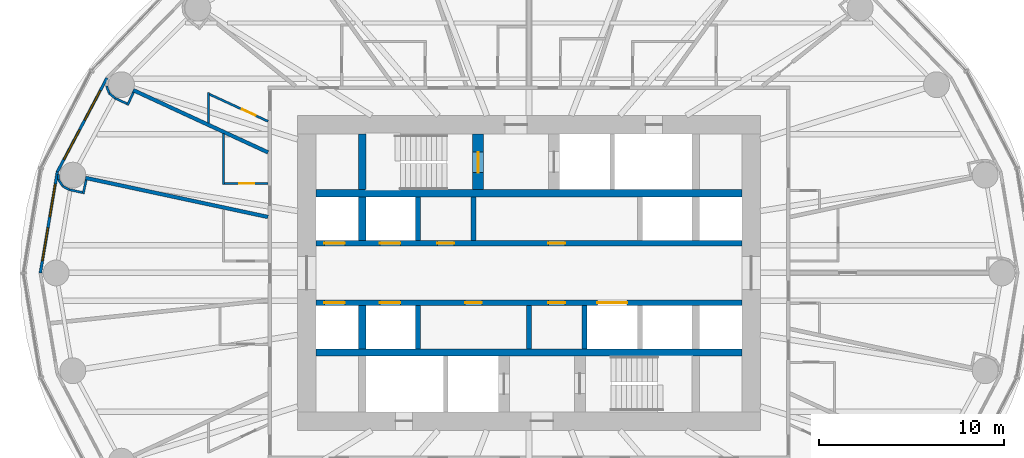
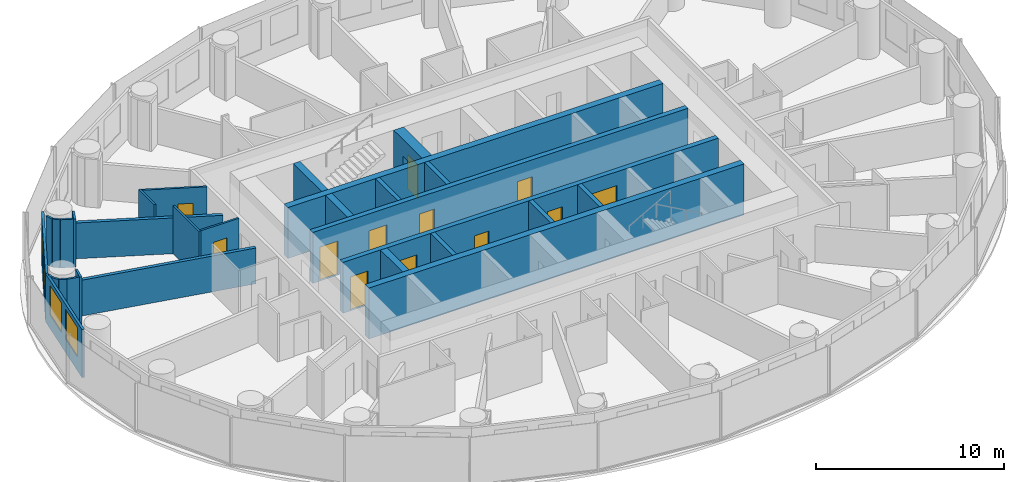
# One storey, part 8 of 14: 30 walls, 12 doors, 4 windows, 16 openings.
"""IFC4 building model written with IfcOpenShell, lengths in metres."""

from ifc_helpers import new_model, si_unit, direction, frame, frame_2d, origin, place, context, subcontext, project, spatial, rectangle, extrude, material, layer, layer_set, type_object, element, fill, save


model = new_model("IFC4")

# Units and contexts
model_context = context("Model", 3, precision=1e-05, world=origin(), true_north=direction((0.0, 1.0)))
body_context = subcontext(model_context, "Body", "Model", "MODEL_VIEW")
ifc_project = project(units=[si_unit("LENGTHUNIT", "METRE"), si_unit("AREAUNIT", "SQUARE_METRE"), si_unit("VOLUMEUNIT", "CUBIC_METRE"), si_unit("PLANEANGLEUNIT", "RADIAN"), si_unit("MASSUNIT", "GRAM", prefix="KILO")], contexts=[model_context])

# Site, building, storey
site_placement = place(None, origin())
site = spatial("IfcSite", under=ifc_project, at=site_placement, CompositionType="ELEMENT")
building_placement = place(site_placement, origin())
building = spatial("IfcBuilding", under=site, at=building_placement, Name="Hankou Lantern Tower", CompositionType="ELEMENT")
storey_placement = place(building_placement, frame((0.0, 0.0, 63.89990234375)))
storey = spatial("IfcBuildingStorey", under=building, at=storey_placement, Name="L15", CompositionType="ELEMENT", Elevation=63.89990234375)

# Walls
ifc_material_1 = material(Name="Concrete C60", Category="concrete")
ifc_layer_1 = layer(ifc_material_1, 0.39990234375)
ifc_layer_set_1 = layer_set([ifc_layer_1], Name="Concrete C60")
wall_type_1 = type_object("IfcWallType", Name="CW4 CORE CROSS WALL 400", PredefinedType="SHEAR", material=ifc_layer_set_1)
for number, where, z_axis, x_axis, name in (
    (1, (-11.5, 4.300048828125, 0.0), (0.0, 0.0, 1.0), (1.0, 0.0, 0.0), "Core band wall north L15"),
    (2, (-11.5, -4.300048828125, 0.0), (0.0, 0.0, 1.0), (1.0, 0.0, 0.0), "Core band wall south L15"),
):
    element("IfcWall", number, at=place(storey_placement, frame(where, z_axis=z_axis, x_axis=x_axis)), inside=storey, type_object=wall_type_1, Name=name, PredefinedType="SHEAR", context=body_context, shape_type="SweptSolid", body=[
        extrude(rectangle(XDim=23.0, YDim=0.39990234375, at=frame_2d((11.5, 0.0))), origin(), (0.0, 0.0, 1.0), 3.300048828125),
    ])
wall_1_placement = place(storey_placement, frame((-9.0, 4.5, 0.0), z_axis=(0.0, 0.0, 1.0), x_axis=(0.0, 1.0, 0.0)))
element("IfcWall", 3, at=wall_1_placement, inside=storey, type_object=wall_type_1, Name="Core strip wall L15", PredefinedType="SHEAR", context=body_context, shape_type="SweptSolid", body=[
    extrude(rectangle(XDim=3.0, YDim=0.39990234375, at=frame_2d((1.5, 0.0))), origin(), (0.0, 0.0, 1.0), 3.300048828125),
])
for number, where, z_axis, x_axis, name in (
    (4, (-9.0, 1.75, 0.0), (0.0, 0.0, 1.0), (0.0, 1.0, 0.0), "Core strip wall L15"),
    (5, (-9.0, -4.10009765625, 0.0), (0.0, 0.0, 1.0), (0.0, 1.0, 0.0), "Core strip wall L15"),
):
    element("IfcWall", number, at=place(storey_placement, frame(where, z_axis=z_axis, x_axis=x_axis)), inside=storey, type_object=wall_type_1, Name=name, PredefinedType="SHEAR", context=body_context, shape_type="SweptSolid", body=[
        extrude(rectangle(XDim=2.35009765625, YDim=0.39990234375, at=frame_2d((1.175048828125, 0.0))), origin(), (0.0, 0.0, 1.0), 3.300048828125),
    ])

# Wall, openings, doors
ifc_material_2 = material(Name="Concrete C60", Category="concrete")
ifc_layer_2 = layer(ifc_material_2, 0.300048828125)
ifc_layer_set_2 = layer_set([ifc_layer_2], Name="Concrete C60")
wall_type_2 = type_object("IfcWallType", Name="CW5 LIFT LOBBY WALL 300", PredefinedType="SHEAR", material=ifc_layer_set_2)
wall_2_placement = place(storey_placement, frame((-11.5, 1.60009765625, 0.0), z_axis=(0.0, 0.0, 1.0), x_axis=(1.0, 0.0, 0.0)))
wall_2 = element("IfcWall", 6, at=wall_2_placement, inside=storey, type_object=wall_type_2, Name="Lift lobby wall north L15", PredefinedType="SHEAR", context=body_context, shape_type="SweptSolid", body=[
    extrude(rectangle(XDim=23.0, YDim=0.300048828125, at=frame_2d((11.5, 0.0))), origin(), (0.0, 0.0, 1.0), 3.300048828125),
])
opening_1_placement = place(wall_2_placement, frame((0.449951171875, 0.0, 0.0)))
opening_1 = element("IfcOpeningElement", 7, at=opening_1_placement, cuts=wall_2, Name="Opening LD1", PredefinedType="OPENING", context=body_context, shape_type="SweptSolid", body=[
    extrude(rectangle(XDim=1.10009765625, YDim=2.199951171875, at=frame_2d((0.550048828125, 1.10009765625))), frame((0.0, 0.159912109375, 0.0), z_axis=(0.0, -1.0, 0.0), x_axis=(1.0, 0.0, 0.0)), (0.0, 0.0, 1.0), 0.320068359375),
])
opening_2_placement = place(wall_2_placement, frame((3.449951171875, 0.0, 0.0)))
opening_2 = element("IfcOpeningElement", 8, at=opening_2_placement, cuts=wall_2, Name="Opening LD1", PredefinedType="OPENING", context=body_context, shape_type="SweptSolid", body=[
    extrude(rectangle(XDim=1.10009765625, YDim=2.199951171875, at=frame_2d((0.550048828125, 1.10009765625))), frame((0.0, 0.159912109375, 0.0), z_axis=(0.0, -1.0, 0.0), x_axis=(1.0, 0.0, 0.0)), (0.0, 0.0, 1.0), 0.320068359375),
])
opening_3_placement = place(wall_2_placement, frame((6.550048828125, 0.0, 0.0)))
opening_3 = element("IfcOpeningElement", 9, at=opening_3_placement, cuts=wall_2, Name="Opening D30", PredefinedType="OPENING", context=body_context, shape_type="SweptSolid", body=[
    extrude(rectangle(XDim=0.89990234375, YDim=2.199951171875, at=frame_2d((0.449951171875, 1.10009765625))), frame((0.0, 0.159912109375, 0.0), z_axis=(0.0, -1.0, 0.0), x_axis=(1.0, 0.0, 0.0)), (0.0, 0.0, 1.0), 0.320068359375),
])
opening_4_placement = place(wall_2_placement, frame((12.550048828125, 0.0, 0.0)))
opening_4 = element("IfcOpeningElement", 10, at=opening_4_placement, cuts=wall_2, Name="Opening D30", PredefinedType="OPENING", context=body_context, shape_type="SweptSolid", body=[
    extrude(rectangle(XDim=0.89990234375, YDim=2.199951171875, at=frame_2d((0.449951171875, 1.10009765625))), frame((0.0, 0.159912109375, 0.0), z_axis=(0.0, -1.0, 0.0), x_axis=(1.0, 0.0, 0.0)), (0.0, 0.0, 1.0), 0.320068359375),
])
ifc_material_3 = material(Name="Steel door leaf", Category="steel")
door_type_1 = type_object("IfcDoorType", Name="D30 CORE ROOM DOOR 900X2200", OperationType="SINGLE_SWING_LEFT", PredefinedType="DOOR", material=ifc_material_3)
door_1_placement = place(opening_3_placement, origin())
door_1 = element("IfcDoor", 11, at=door_1_placement, inside=storey, type_object=door_type_1, Name="Room service pantry door", OperationType="SINGLE_SWING_LEFT", OverallHeight=2.199951171875, OverallWidth=0.89990234375, PredefinedType="DOOR", context=body_context, shape_type="SweptSolid", body=[
    extrude(rectangle(XDim=0.89990234375, YDim=2.199951171875, at=frame_2d((0.449951171875, 1.10009765625))), frame((0.0, 0.02490234375, 0.0), z_axis=(0.0, -1.0, 0.0), x_axis=(1.0, 0.0, 0.0)), (0.0, 0.0, 1.0), 0.050048828125),
])
fill(opening_3, door_1)
door_2_placement = place(opening_4_placement, origin())
door_2 = element("IfcDoor", 12, at=door_2_placement, inside=storey, type_object=door_type_1, Name="Housekeeping and linen store door", OperationType="SINGLE_SWING_RIGHT", OverallHeight=2.199951171875, OverallWidth=0.89990234375, PredefinedType="DOOR", context=body_context, shape_type="SweptSolid", body=[
    extrude(rectangle(XDim=0.89990234375, YDim=2.199951171875, at=frame_2d((0.449951171875, 1.10009765625))), frame((0.0, 0.02490234375, 0.0), z_axis=(0.0, -1.0, 0.0), x_axis=(1.0, 0.0, 0.0)), (0.0, 0.0, 1.0), 0.050048828125),
])
fill(opening_4, door_2)
ifc_material_4 = material(Name="Steel door leaf", Category="steel")
door_type_2 = type_object("IfcDoorType", Name="LD1 LIFT LANDING DOOR 1100X2200", OperationType="DOUBLE_DOOR_SLIDING", PredefinedType="DOOR", material=ifc_material_4)
door_3_placement = place(opening_1_placement, origin())
door_3 = element("IfcDoor", 13, at=door_3_placement, inside=storey, type_object=door_type_2, Name="Lift L1 landing door", OperationType="DOUBLE_DOOR_SLIDING", OverallHeight=2.199951171875, OverallWidth=1.10009765625, PredefinedType="DOOR", context=body_context, shape_type="SweptSolid", body=[
    extrude(rectangle(XDim=1.10009765625, YDim=2.199951171875, at=frame_2d((0.550048828125, 1.10009765625))), frame((0.0, 0.02490234375, 0.0), z_axis=(0.0, -1.0, 0.0), x_axis=(1.0, 0.0, 0.0)), (0.0, 0.0, 1.0), 0.050048828125),
])
fill(opening_1, door_3)
door_4_placement = place(opening_2_placement, origin())
door_4 = element("IfcDoor", 14, at=door_4_placement, inside=storey, type_object=door_type_2, Name="Lift L2 landing door", OperationType="DOUBLE_DOOR_SLIDING", OverallHeight=2.199951171875, OverallWidth=1.10009765625, PredefinedType="DOOR", context=body_context, shape_type="SweptSolid", body=[
    extrude(rectangle(XDim=1.10009765625, YDim=2.199951171875, at=frame_2d((0.550048828125, 1.10009765625))), frame((0.0, 0.02490234375, 0.0), z_axis=(0.0, -1.0, 0.0), x_axis=(1.0, 0.0, 0.0)), (0.0, 0.0, 1.0), 0.050048828125),
])
fill(opening_2, door_4)

wall_3_placement = place(storey_placement, frame((-11.5, -1.60009765625, 0.0), z_axis=(0.0, 0.0, 1.0), x_axis=(1.0, 0.0, 0.0)))
wall_3 = element("IfcWall", 15, at=wall_3_placement, inside=storey, type_object=wall_type_2, Name="Lift lobby wall south L15", PredefinedType="SHEAR", context=body_context, shape_type="SweptSolid", body=[
    extrude(rectangle(XDim=23.0, YDim=0.300048828125, at=frame_2d((11.5, 0.0))), origin(), (0.0, 0.0, 1.0), 3.300048828125),
])
opening_5_placement = place(wall_3_placement, frame((0.449951171875, 0.0, 0.0)))
opening_5 = element("IfcOpeningElement", 16, at=opening_5_placement, cuts=wall_3, Name="Opening LD1", PredefinedType="OPENING", context=body_context, shape_type="SweptSolid", body=[
    extrude(rectangle(XDim=1.10009765625, YDim=2.199951171875, at=frame_2d((0.550048828125, 1.10009765625))), frame((0.0, 0.159912109375, 0.0), z_axis=(0.0, -1.0, 0.0), x_axis=(1.0, 0.0, 0.0)), (0.0, 0.0, 1.0), 0.320068359375),
])
opening_6_placement = place(wall_3_placement, frame((3.449951171875, 0.0, 0.0)))
opening_6 = element("IfcOpeningElement", 17, at=opening_6_placement, cuts=wall_3, Name="Opening LD1", PredefinedType="OPENING", context=body_context, shape_type="SweptSolid", body=[
    extrude(rectangle(XDim=1.10009765625, YDim=2.199951171875, at=frame_2d((0.550048828125, 1.10009765625))), frame((0.0, 0.159912109375, 0.0), z_axis=(0.0, -1.0, 0.0), x_axis=(1.0, 0.0, 0.0)), (0.0, 0.0, 1.0), 0.320068359375),
])
opening_7_placement = place(wall_3_placement, frame((15.199951171875, 0.0, 0.0)))
opening_7 = element("IfcOpeningElement", 18, at=opening_7_placement, cuts=wall_3, Name="Opening LD4", PredefinedType="OPENING", context=body_context, shape_type="SweptSolid", body=[
    extrude(rectangle(XDim=1.60009765625, YDim=2.39990234375, at=frame_2d((0.800048828125, 1.199951171875))), frame((0.0, 0.159912109375, 0.0), z_axis=(0.0, -1.0, 0.0), x_axis=(1.0, 0.0, 0.0)), (0.0, 0.0, 1.0), 0.320068359375),
])
opening_8_placement = place(wall_3_placement, frame((8.050048828125, 0.0, 0.0)))
opening_8 = element("IfcOpeningElement", 19, at=opening_8_placement, cuts=wall_3, Name="Opening D30", PredefinedType="OPENING", context=body_context, shape_type="SweptSolid", body=[
    extrude(rectangle(XDim=0.89990234375, YDim=2.199951171875, at=frame_2d((0.449951171875, 1.10009765625))), frame((0.0, 0.159912109375, 0.0), z_axis=(0.0, -1.0, 0.0), x_axis=(1.0, 0.0, 0.0)), (0.0, 0.0, 1.0), 0.320068359375),
])
opening_9_placement = place(wall_3_placement, frame((12.550048828125, 0.0, 0.0)))
opening_9 = element("IfcOpeningElement", 20, at=opening_9_placement, cuts=wall_3, Name="Opening D30", PredefinedType="OPENING", context=body_context, shape_type="SweptSolid", body=[
    extrude(rectangle(XDim=0.89990234375, YDim=2.199951171875, at=frame_2d((0.449951171875, 1.10009765625))), frame((0.0, 0.159912109375, 0.0), z_axis=(0.0, -1.0, 0.0), x_axis=(1.0, 0.0, 0.0)), (0.0, 0.0, 1.0), 0.320068359375),
])
door_5_placement = place(opening_8_placement, origin())
door_5 = element("IfcDoor", 21, at=door_5_placement, inside=storey, type_object=door_type_1, Name="Staff locker room door", OperationType="SINGLE_SWING_LEFT", OverallHeight=2.199951171875, OverallWidth=0.89990234375, PredefinedType="DOOR", context=body_context, shape_type="SweptSolid", body=[
    extrude(rectangle(XDim=0.89990234375, YDim=2.199951171875, at=frame_2d((0.449951171875, 1.10009765625))), frame((0.0, 0.02490234375, 0.0), z_axis=(0.0, -1.0, 0.0), x_axis=(1.0, 0.0, 0.0)), (0.0, 0.0, 1.0), 0.050048828125),
])
fill(opening_8, door_5)
door_6_placement = place(opening_9_placement, origin())
door_6 = element("IfcDoor", 22, at=door_6_placement, inside=storey, type_object=door_type_1, Name="Guest pantry and ice room door", OperationType="SINGLE_SWING_RIGHT", OverallHeight=2.199951171875, OverallWidth=0.89990234375, PredefinedType="DOOR", context=body_context, shape_type="SweptSolid", body=[
    extrude(rectangle(XDim=0.89990234375, YDim=2.199951171875, at=frame_2d((0.449951171875, 1.10009765625))), frame((0.0, 0.02490234375, 0.0), z_axis=(0.0, -1.0, 0.0), x_axis=(1.0, 0.0, 0.0)), (0.0, 0.0, 1.0), 0.050048828125),
])
fill(opening_9, door_6)
door_7_placement = place(opening_5_placement, origin())
door_7 = element("IfcDoor", 23, at=door_7_placement, inside=storey, type_object=door_type_2, Name="Lift L3 landing door", OperationType="DOUBLE_DOOR_SLIDING", OverallHeight=2.199951171875, OverallWidth=1.10009765625, PredefinedType="DOOR", context=body_context, shape_type="SweptSolid", body=[
    extrude(rectangle(XDim=1.10009765625, YDim=2.199951171875, at=frame_2d((0.550048828125, 1.10009765625))), frame((0.0, 0.02490234375, 0.0), z_axis=(0.0, -1.0, 0.0), x_axis=(1.0, 0.0, 0.0)), (0.0, 0.0, 1.0), 0.050048828125),
])
fill(opening_5, door_7)
door_8_placement = place(opening_6_placement, origin())
door_8 = element("IfcDoor", 24, at=door_8_placement, inside=storey, type_object=door_type_2, Name="Lift L4 landing door", OperationType="DOUBLE_DOOR_SLIDING", OverallHeight=2.199951171875, OverallWidth=1.10009765625, PredefinedType="DOOR", context=body_context, shape_type="SweptSolid", body=[
    extrude(rectangle(XDim=1.10009765625, YDim=2.199951171875, at=frame_2d((0.550048828125, 1.10009765625))), frame((0.0, 0.02490234375, 0.0), z_axis=(0.0, -1.0, 0.0), x_axis=(1.0, 0.0, 0.0)), (0.0, 0.0, 1.0), 0.050048828125),
])
fill(opening_6, door_8)
ifc_material_5 = material(Name="Steel door leaf", Category="steel")
door_type_3 = type_object("IfcDoorType", Name="LD4 SERVICE LIFT LANDING DOOR 1600X2400", OperationType="DOUBLE_DOOR_SLIDING", PredefinedType="DOOR", material=ifc_material_5)
door_9_placement = place(opening_7_placement, origin())
door_9 = element("IfcDoor", 25, at=door_9_placement, inside=storey, type_object=door_type_3, Name="Lift SV1 landing door", OperationType="DOUBLE_DOOR_SLIDING", OverallHeight=2.39990234375, OverallWidth=1.60009765625, PredefinedType="DOOR", context=body_context, shape_type="SweptSolid", body=[
    extrude(rectangle(XDim=1.60009765625, YDim=2.39990234375, at=frame_2d((0.800048828125, 1.199951171875))), frame((0.0, 0.02490234375, 0.0), z_axis=(0.0, -1.0, 0.0), x_axis=(1.0, 0.0, 0.0)), (0.0, 0.0, 1.0), 0.050048828125),
])
fill(opening_7, door_9)

# Wall, opening, door
ifc_material_6 = material(Name="Concrete C60", Category="concrete")
ifc_layer_3 = layer(ifc_material_6, 0.60009765625)
ifc_layer_set_3 = layer_set([ifc_layer_3], Name="Concrete C60")
wall_type_3 = type_object("IfcWallType", Name="CW6 STAIR AND SHAFT WALL 600", PredefinedType="SHEAR", material=ifc_layer_set_3)
wall_4_placement = place(storey_placement, frame((-2.75, 4.5, 0.0), z_axis=(0.0, 0.0, 1.0), x_axis=(0.0, 1.0, 0.0)))
wall_4 = element("IfcWall", 26, at=wall_4_placement, inside=storey, type_object=wall_type_3, Name="Stair wall L15", PredefinedType="SHEAR", context=body_context, shape_type="SweptSolid", body=[
    extrude(rectangle(XDim=3.0, YDim=0.60009765625, at=frame_2d((1.5, 0.0))), origin(), (0.0, 0.0, 1.0), 3.300048828125),
])
opening_10_placement = place(wall_4_placement, frame((0.925048828125, 0.0, 0.0)))
opening_10 = element("IfcOpeningElement", 27, at=opening_10_placement, cuts=wall_4, Name="Opening D4", PredefinedType="OPENING", context=body_context, shape_type="SweptSolid", body=[
    extrude(rectangle(XDim=1.10009765625, YDim=2.199951171875, at=frame_2d((0.550048828125, 1.10009765625))), frame((0.0, 0.31005859375, 0.0), z_axis=(0.0, -1.0, 0.0), x_axis=(1.0, 0.0, 0.0)), (0.0, 0.0, 1.0), 0.6201171875),
])
ifc_material_7 = material(Name="Steel door leaf", Category="steel")
door_type_4 = type_object("IfcDoorType", Name="D4 STAIR DOOR 1100X2200", OperationType="SINGLE_SWING_LEFT", PredefinedType="DOOR", material=ifc_material_7)
door_10_placement = place(opening_10_placement, origin())
door_10 = element("IfcDoor", 28, at=door_10_placement, inside=storey, type_object=door_type_4, Name="Stair A door", OperationType="SINGLE_SWING_LEFT", OverallHeight=2.199951171875, OverallWidth=1.10009765625, PredefinedType="DOOR", context=body_context, shape_type="SweptSolid", body=[
    extrude(rectangle(XDim=1.10009765625, YDim=2.199951171875, at=frame_2d((0.550048828125, 1.10009765625))), frame((0.0, 0.02490234375, 0.0), z_axis=(0.0, -1.0, 0.0), x_axis=(1.0, 0.0, 0.0)), (0.0, 0.0, 1.0), 0.050048828125),
])
fill(opening_10, door_10)

# Wall, openings, windows
ifc_material_8 = material(Name="Aluminium spandrel panel on steel studs", Category="steel")
ifc_layer_4 = layer(ifc_material_8, 0.14990234375)
ifc_layer_set_4 = layer_set([ifc_layer_4], Name="Aluminium spandrel panel on steel studs")
wall_type_4 = type_object("IfcWallType", Name="EW1 INNER SKIN WALL 150", PredefinedType="ELEMENTEDWALL", material=ifc_layer_set_4)
wall_5_placement = place(storey_placement, frame((-22.802734375, 10.5322265625, 0.0), z_axis=(0.0, 0.0, 1.0), x_axis=(-0.467296867008, -0.884100468321, 0.0)))
wall_5 = element("IfcWall", 29, at=wall_5_placement, inside=storey, type_object=wall_type_4, Name="Inner skin R11-R12 L15", PredefinedType="ELEMENTEDWALL", context=body_context, shape_type="SweptSolid", body=[
    extrude(rectangle(XDim=5.734375, YDim=0.14990234375, at=frame_2d((2.8671875, 0.0))), origin(), (0.0, 0.0, 1.0), 3.1201171875),
])
opening_11_placement = place(wall_5_placement, frame((0.76708984375, 0.0, 0.89990234375)))
opening_11 = element("IfcOpeningElement", 30, at=opening_11_placement, cuts=wall_5, Name="Opening W1", PredefinedType="OPENING", context=body_context, shape_type="SweptSolid", body=[
    extrude(rectangle(XDim=1.800048828125, YDim=1.89990234375, at=frame_2d((0.89990234375, 0.949951171875))), frame((0.0, 0.0849609375, 0.0), z_axis=(0.0, -1.0, 0.0), x_axis=(1.0, 0.0, 0.0)), (0.0, 0.0, 1.0), 0.169921875),
])
opening_12_placement = place(wall_5_placement, frame((3.167236328125, 0.0, 0.89990234375)))
opening_12 = element("IfcOpeningElement", 31, at=opening_12_placement, cuts=wall_5, Name="Opening W1", PredefinedType="OPENING", context=body_context, shape_type="SweptSolid", body=[
    extrude(rectangle(XDim=1.800048828125, YDim=1.89990234375, at=frame_2d((0.89990234375, 0.949951171875))), frame((0.0, 0.0849609375, 0.0), z_axis=(0.0, -1.0, 0.0), x_axis=(1.0, 0.0, 0.0)), (0.0, 0.0, 1.0), 0.169921875),
])
ifc_material_9 = material(Name="Aluminium framed double glazed window", Category="aluminium")
window_type = type_object("IfcWindowType", Name="W1 GUEST ROOM WINDOW 1800X1900", PartitioningType="DOUBLE_PANEL_VERTICAL", PredefinedType="WINDOW", material=ifc_material_9)
window_1_placement = place(opening_11_placement, origin())
window_1 = element("IfcWindow", 32, at=window_1_placement, inside=storey, type_object=window_type, Name="Window R11.1 L15", OverallHeight=1.89990234375, OverallWidth=1.800048828125, PartitioningType="SINGLE_PANEL", PredefinedType="WINDOW", context=body_context, shape_type="SweptSolid", body=[
    extrude(rectangle(XDim=1.800048828125, YDim=1.89990234375, at=frame_2d((0.89990234375, 0.949951171875))), frame((0.0, 0.030029296875, 0.0), z_axis=(0.0, -1.0, 0.0), x_axis=(1.0, 0.0, 0.0)), (0.0, 0.0, 1.0), 0.06005859375),
])
fill(opening_11, window_1)
window_2_placement = place(opening_12_placement, origin())
window_2 = element("IfcWindow", 33, at=window_2_placement, inside=storey, type_object=window_type, Name="Window R11.2 L15", OverallHeight=1.89990234375, OverallWidth=1.800048828125, PartitioningType="SINGLE_PANEL", PredefinedType="WINDOW", context=body_context, shape_type="SweptSolid", body=[
    extrude(rectangle(XDim=1.800048828125, YDim=1.89990234375, at=frame_2d((0.89990234375, 0.949951171875))), frame((0.0, 0.030029296875, 0.0), z_axis=(0.0, -1.0, 0.0), x_axis=(1.0, 0.0, 0.0)), (0.0, 0.0, 1.0), 0.06005859375),
])
fill(opening_12, window_2)

wall_6_placement = place(storey_placement, frame((-25.482421875, 5.46240234375, 0.0), z_axis=(0.0, 0.0, 1.0), x_axis=(-0.165642551694, -0.986185857264, 0.0)))
wall_6 = element("IfcWall", 34, at=wall_6_placement, inside=storey, type_object=wall_type_4, Name="Inner skin R12-R13 L15", PredefinedType="ELEMENTEDWALL", context=body_context, shape_type="SweptSolid", body=[
    extrude(rectangle(XDim=5.538818359375, YDim=0.14990234375, at=frame_2d((2.76953125, 0.0))), origin(), (0.0, 0.0, 1.0), 3.1201171875),
])
opening_13_placement = place(wall_6_placement, frame((0.66943359375, 0.0, 0.89990234375)))
opening_13 = element("IfcOpeningElement", 35, at=opening_13_placement, cuts=wall_6, Name="Opening W1", PredefinedType="OPENING", context=body_context, shape_type="SweptSolid", body=[
    extrude(rectangle(XDim=1.800048828125, YDim=1.89990234375, at=frame_2d((0.89990234375, 0.949951171875))), frame((0.0, 0.0849609375, 0.0), z_axis=(0.0, -1.0, 0.0), x_axis=(1.0, 0.0, 0.0)), (0.0, 0.0, 1.0), 0.169921875),
])
opening_14_placement = place(wall_6_placement, frame((3.069580078125, 0.0, 0.89990234375)))
opening_14 = element("IfcOpeningElement", 36, at=opening_14_placement, cuts=wall_6, Name="Opening W1", PredefinedType="OPENING", context=body_context, shape_type="SweptSolid", body=[
    extrude(rectangle(XDim=1.800048828125, YDim=1.89990234375, at=frame_2d((0.89990234375, 0.949951171875))), frame((0.0, 0.0849609375, 0.0), z_axis=(0.0, -1.0, 0.0), x_axis=(1.0, 0.0, 0.0)), (0.0, 0.0, 1.0), 0.169921875),
])
window_3_placement = place(opening_13_placement, origin())
window_3 = element("IfcWindow", 37, at=window_3_placement, inside=storey, type_object=window_type, Name="Window R12.1 L15", OverallHeight=1.89990234375, OverallWidth=1.800048828125, PartitioningType="SINGLE_PANEL", PredefinedType="WINDOW", context=body_context, shape_type="SweptSolid", body=[
    extrude(rectangle(XDim=1.800048828125, YDim=1.89990234375, at=frame_2d((0.89990234375, 0.949951171875))), frame((0.0, 0.030029296875, 0.0), z_axis=(0.0, -1.0, 0.0), x_axis=(1.0, 0.0, 0.0)), (0.0, 0.0, 1.0), 0.06005859375),
])
fill(opening_13, window_3)
window_4_placement = place(opening_14_placement, origin())
window_4 = element("IfcWindow", 38, at=window_4_placement, inside=storey, type_object=window_type, Name="Window R12.2 L15", OverallHeight=1.89990234375, OverallWidth=1.800048828125, PartitioningType="SINGLE_PANEL", PredefinedType="WINDOW", context=body_context, shape_type="SweptSolid", body=[
    extrude(rectangle(XDim=1.800048828125, YDim=1.89990234375, at=frame_2d((0.89990234375, 0.949951171875))), frame((0.0, 0.030029296875, 0.0), z_axis=(0.0, -1.0, 0.0), x_axis=(1.0, 0.0, 0.0)), (0.0, 0.0, 1.0), 0.06005859375),
])
fill(opening_14, window_4)

# Walls
ifc_material_10 = material(Name="Masonry lightweight concrete block", Category="masonry")
ifc_layer_5 = layer(ifc_material_10, 0.199951171875)
ifc_layer_set_5 = layer_set([ifc_layer_5], Name="Masonry lightweight concrete block")
wall_type_5 = type_object("IfcWallType", Name="IW1 GUEST ROOM PARTY WALL 200", PredefinedType="PARTITIONING", material=ifc_layer_set_5)
wall_7_placement = place(storey_placement, frame((-14.10009765625, 6.512451171875, 0.0), z_axis=(0.0, 0.0, 1.0), x_axis=(-0.907832871056, 0.419332181247, 0.0)))
element("IfcWall", 39, at=wall_7_placement, inside=storey, type_object=wall_type_5, Name="Party wall R11", PredefinedType="PARTITIONING", context=body_context, shape_type="SweptSolid", body=[
    extrude(rectangle(XDim=8.02294921875, YDim=0.199951171875, at=frame_2d((4.011474609375, 0.0))), origin(), (0.0, 0.0, 1.0), 2.320068359375),
])
wall_8_placement = place(storey_placement, frame((-14.10009765625, 3.0224609375, 0.0), z_axis=(0.0, 0.0, 1.0), x_axis=(-0.977790014929, 0.209586943072, 0.0)))
element("IfcWall", 40, at=wall_8_placement, inside=storey, type_object=wall_type_5, Name="Party wall R12", PredefinedType="PARTITIONING", context=body_context, shape_type="SweptSolid", body=[
    extrude(rectangle(XDim=10.086669921875, YDim=0.199951171875, at=frame_2d((5.04345703125, 0.0))), origin(), (0.0, 0.0, 1.0), 2.320068359375),
])
ifc_material_11 = material(Name="Masonry lightweight concrete block", Category="masonry")
ifc_layer_6 = layer(ifc_material_11, 0.1201171875)
ifc_layer_set_6 = layer_set([ifc_layer_6], Name="Masonry lightweight concrete block")
wall_type_6 = type_object("IfcWallType", Name="IW3 BATHROOM WALL 120", PredefinedType="PARTITIONING", material=ifc_layer_set_6)
wall_9_placement = place(storey_placement, frame((-17.32275390625, 8.10107421875, 0.0), z_axis=(0.0, 0.0, 1.0), x_axis=(0.0, 1.0, 0.0)))
element("IfcWall", 41, at=wall_9_placement, inside=storey, type_object=wall_type_6, Name="Box wall 1510 1", PredefinedType="PARTITIONING", context=body_context, shape_type="SweptSolid", body=[
    extrude(rectangle(XDim=1.639892578125, YDim=0.1201171875, at=frame_2d((0.81982421875, 0.0))), origin(), (0.0, 0.0, 1.0), 3.1201171875),
])

# Wall, opening, door
wall_10_placement = place(storey_placement, frame((-14.10009765625, 8.192626953125, 0.0), z_axis=(0.0, 0.0, 1.0), x_axis=(-0.907836493557, 0.419324338628, 0.0)))
wall_10 = element("IfcWall", 42, at=wall_10_placement, inside=storey, type_object=wall_type_6, Name="Box wall 1510 1", PredefinedType="PARTITIONING", context=body_context, shape_type="SweptSolid", body=[
    extrude(rectangle(XDim=3.48974609375, YDim=0.1201171875, at=frame_2d((1.744873046875, 0.0))), origin(), (0.0, 0.0, 1.0), 3.1201171875),
])
opening_15_placement = place(wall_10_placement, frame((0.75, 0.0, 0.0)))
opening_15 = element("IfcOpeningElement", 43, at=opening_15_placement, cuts=wall_10, Name="Opening D3", PredefinedType="OPENING", context=body_context, shape_type="SweptSolid", body=[
    extrude(rectangle(XDim=0.800048828125, YDim=2.10009765625, at=frame_2d((0.39990234375, 1.050048828125))), frame((0.0, 0.070068359375, 0.0), z_axis=(0.0, -1.0, 0.0), x_axis=(1.0, 0.0, 0.0)), (0.0, 0.0, 1.0), 0.14013671875),
])
ifc_material_12 = material(Name="Timber door leaf", Category="wood")
door_type_5 = type_object("IfcDoorType", Name="D3 BATHROOM DOOR 800X2100", OperationType="SINGLE_SWING_LEFT", PredefinedType="DOOR", material=ifc_material_12)
door_11_placement = place(opening_15_placement, origin())
door_11 = element("IfcDoor", 44, at=door_11_placement, inside=storey, type_object=door_type_5, Name="En-suite bathroom 1510 door", OperationType="SINGLE_SWING_LEFT", OverallHeight=2.10009765625, OverallWidth=0.800048828125, PredefinedType="DOOR", context=body_context, shape_type="SweptSolid", body=[
    extrude(rectangle(XDim=0.800048828125, YDim=2.10009765625, at=frame_2d((0.39990234375, 1.050048828125))), frame((0.0, 0.02490234375, 0.0), z_axis=(0.0, -1.0, 0.0), x_axis=(1.0, 0.0, 0.0)), (0.0, 0.0, 1.0), 0.050048828125),
])
fill(opening_15, door_11)

# Wall
wall_11_placement = place(storey_placement, frame((-16.5, 7.52099609375, 0.0), z_axis=(0.0, 0.0, 1.0), x_axis=(0.0, -1.0, 0.0)))
element("IfcWall", 45, at=wall_11_placement, inside=storey, type_object=wall_type_6, Name="Box wall 1511 1", PredefinedType="PARTITIONING", context=body_context, shape_type="SweptSolid", body=[
    extrude(rectangle(XDim=2.74853515625, YDim=0.1201171875, at=frame_2d((1.374267578125, 0.0))), origin(), (0.0, 0.0, 1.0), 3.1201171875),
])

# Wall, opening, door
wall_12_placement = place(storey_placement, frame((-14.10009765625, 4.83251953125, 0.0), z_axis=(0.0, 0.0, 1.0), x_axis=(-1.0, 0.0, 0.0)))
wall_12 = element("IfcWall", 46, at=wall_12_placement, inside=storey, type_object=wall_type_6, Name="Box wall 1511 1", PredefinedType="PARTITIONING", context=body_context, shape_type="SweptSolid", body=[
    extrude(rectangle(XDim=2.33984375, YDim=0.1201171875, at=frame_2d((1.169921875, 0.0))), origin(), (0.0, 0.0, 1.0), 3.1201171875),
])
opening_16_placement = place(wall_12_placement, frame((0.75, 0.0, 0.0)))
opening_16 = element("IfcOpeningElement", 47, at=opening_16_placement, cuts=wall_12, Name="Opening D3", PredefinedType="OPENING", context=body_context, shape_type="SweptSolid", body=[
    extrude(rectangle(XDim=0.800048828125, YDim=2.10009765625, at=frame_2d((0.39990234375, 1.050048828125))), frame((0.0, 0.070068359375, 0.0), z_axis=(0.0, -1.0, 0.0), x_axis=(1.0, 0.0, 0.0)), (0.0, 0.0, 1.0), 0.14013671875),
])
door_12_placement = place(opening_16_placement, origin())
door_12 = element("IfcDoor", 48, at=door_12_placement, inside=storey, type_object=door_type_5, Name="En-suite bathroom 1511 door", OperationType="SINGLE_SWING_LEFT", OverallHeight=2.10009765625, OverallWidth=0.800048828125, PredefinedType="DOOR", context=body_context, shape_type="SweptSolid", body=[
    extrude(rectangle(XDim=0.800048828125, YDim=2.10009765625, at=frame_2d((0.39990234375, 1.050048828125))), frame((0.0, 0.02490234375, 0.0), z_axis=(0.0, -1.0, 0.0), x_axis=(1.0, 0.0, 0.0)), (0.0, 0.0, 1.0), 0.050048828125),
])
fill(opening_16, door_12)

# Walls
ifc_material_13 = material(Name="Masonry lightweight concrete block", Category="masonry")
ifc_layer_7 = layer(ifc_material_13, 0.1201171875)
ifc_layer_set_7 = layer_set([ifc_layer_7], Name="Masonry lightweight concrete block")
wall_type_7 = type_object("IfcWallType", Name="IW4 PARTITION 120", PredefinedType="PARTITIONING", material=ifc_layer_set_7)
wall_13_placement = place(storey_placement, frame((-21.37109375, 9.7607421875, 0.0), z_axis=(0.0, 0.0, 1.0), x_axis=(-0.419259891039, -0.907866258744, 0.0)))
element("IfcWall", 49, at=wall_13_placement, inside=storey, type_object=wall_type_7, Name="Column casing R11 return", PredefinedType="PARTITIONING", context=body_context, shape_type="SweptSolid", body=[
    extrude(rectangle(XDim=0.767578125, YDim=0.1201171875, at=frame_2d((0.3837890625, 0.0))), origin(), (0.0, 0.0, 1.0), 3.1201171875),
])
wall_14_placement = place(storey_placement, frame((-21.72216796875, 9.1435546875, 0.0), z_axis=(0.0, 0.0, 1.0), x_axis=(-0.907877701396, 0.419235112208, 0.0)))
element("IfcWall", 50, at=wall_14_placement, inside=storey, type_object=wall_type_7, Name="Column casing R11", PredefinedType="PARTITIONING", context=body_context, shape_type="SweptSolid", body=[
    extrude(rectangle(XDim=0.699951171875, YDim=0.1201171875, at=frame_2d((0.35009765625, 0.0))), origin(), (0.0, 0.0, 1.0), 3.1201171875),
])
wall_15_placement = place(storey_placement, frame((-22.357666015625, 9.43701171875, 0.0), z_axis=(0.0, 0.0, 1.0), x_axis=(-0.768412687942, 0.639954639806, 0.0)))
element("IfcWall", 51, at=wall_15_placement, inside=storey, type_object=wall_type_7, Name="Column casing R11", PredefinedType="PARTITIONING", context=body_context, shape_type="SweptSolid", body=[
    extrude(rectangle(XDim=0.418212890625, YDim=0.1201171875, at=frame_2d((0.208984375, 0.0))), origin(), (0.0, 0.0, 1.0), 3.1201171875),
])
wall_16_placement = place(storey_placement, frame((-22.678955078125, 9.70458984375, 0.0), z_axis=(0.0, 0.0, 1.0), x_axis=(-0.345164001646, 0.938542386879, 0.0)))
element("IfcWall", 52, at=wall_16_placement, inside=storey, type_object=wall_type_7, Name="Column casing R11", PredefinedType="PARTITIONING", context=body_context, shape_type="SweptSolid", body=[
    extrude(rectangle(XDim=0.41796875, YDim=0.1201171875, at=frame_2d((0.208984375, 0.0))), origin(), (0.0, 0.0, 1.0), 3.1201171875),
])
wall_17_placement = place(storey_placement, frame((-23.9248046875, 5.026123046875, 0.0), z_axis=(0.0, 0.0, 1.0), x_axis=(-0.209681192172, -0.977769808109, 0.0)))
element("IfcWall", 53, at=wall_17_placement, inside=storey, type_object=wall_type_7, Name="Column casing R12 return", PredefinedType="PARTITIONING", context=body_context, shape_type="SweptSolid", body=[
    extrude(rectangle(XDim=0.767333984375, YDim=0.1201171875, at=frame_2d((0.3837890625, 0.0))), origin(), (0.0, 0.0, 1.0), 3.1201171875),
])
wall_18_placement = place(storey_placement, frame((-24.1318359375, 4.346923828125, 0.0), z_axis=(0.0, 0.0, 1.0), x_axis=(-0.977776882509, 0.209648200638, 0.0)))
element("IfcWall", 54, at=wall_18_placement, inside=storey, type_object=wall_type_7, Name="Column casing R12", PredefinedType="PARTITIONING", context=body_context, shape_type="SweptSolid", body=[
    extrude(rectangle(XDim=0.699951171875, YDim=0.1201171875, at=frame_2d((0.35009765625, 0.0))), origin(), (0.0, 0.0, 1.0), 3.1201171875),
])
for number, where, z_axis, x_axis, name in (
    (55, (-24.816162109375, 4.49365234375, 0.0), (0.0, 0.0, 1.0), (-0.890303208847, 0.455368198623, 0.0), "Column casing R12"),
    (56, (-25.1884765625, 4.68408203125, 0.0), (0.0, 0.0, 1.0), (-0.543057568894, 0.839695466742, 0.0), "Column casing R12"),
):
    element("IfcWall", number, at=place(storey_placement, frame(where, z_axis=z_axis, x_axis=x_axis)), inside=storey, type_object=wall_type_7, Name=name, PredefinedType="PARTITIONING", context=body_context, shape_type="SweptSolid", body=[
        extrude(rectangle(XDim=0.418212890625, YDim=0.1201171875, at=frame_2d((0.208984375, 0.0))), origin(), (0.0, 0.0, 1.0), 3.1201171875),
    ])
wall_19_placement = place(storey_placement, frame((-25.41552734375, 5.03515625, 0.0), z_axis=(0.0, 0.0, 1.0), x_axis=(-0.050406329159, 0.998728793007, 0.0)))
element("IfcWall", 57, at=wall_19_placement, inside=storey, type_object=wall_type_7, Name="Column casing R12", PredefinedType="PARTITIONING", context=body_context, shape_type="SweptSolid", body=[
    extrude(rectangle(XDim=0.28564453125, YDim=0.1201171875, at=frame_2d((0.142822265625, 0.0))), origin(), (0.0, 0.0, 1.0), 3.1201171875),
])
ifc_material_14 = material(Name="Masonry autoclaved aerated concrete block", Category="masonry")
ifc_layer_8 = layer(ifc_material_14, 0.25)
ifc_layer_set_8 = layer_set([ifc_layer_8], Name="Masonry autoclaved aerated concrete block")
wall_type_8 = type_object("IfcWallType", Name="SW1 SHAFT BLOCK WALL 250", PredefinedType="PARTITIONING", material=ifc_layer_set_8)
for number, where, z_axis, x_axis, name in (
    (58, (-6.0, 1.75, 0.0), (0.0, 0.0, 1.0), (0.0, 1.0, 0.0), "Lift shaft wall L15"),
    (59, (-3.0, 1.75, 0.0), (0.0, 0.0, 1.0), (0.0, 1.0, 0.0), "Lift shaft wall L15"),
    (60, (-6.0, -4.10009765625, 0.0), (0.0, 0.0, 1.0), (0.0, 1.0, 0.0), "Lift shaft wall L15"),
    (61, (0.0, -4.10009765625, 0.0), (0.0, 0.0, 1.0), (0.0, 1.0, 0.0), "Lift shaft wall L15"),
    (62, (3.0, -4.10009765625, 0.0), (0.0, 0.0, 1.0), (0.0, 1.0, 0.0), "Lift shaft wall L15"),
):
    element("IfcWall", number, at=place(storey_placement, frame(where, z_axis=z_axis, x_axis=x_axis)), inside=storey, type_object=wall_type_8, Name=name, PredefinedType="PARTITIONING", context=body_context, shape_type="SweptSolid", body=[
        extrude(rectangle(XDim=2.35009765625, YDim=0.25, at=frame_2d((1.175048828125, 0.0))), origin(), (0.0, 0.0, 1.0), 3.300048828125),
    ])

save(model, "model.ifc")
